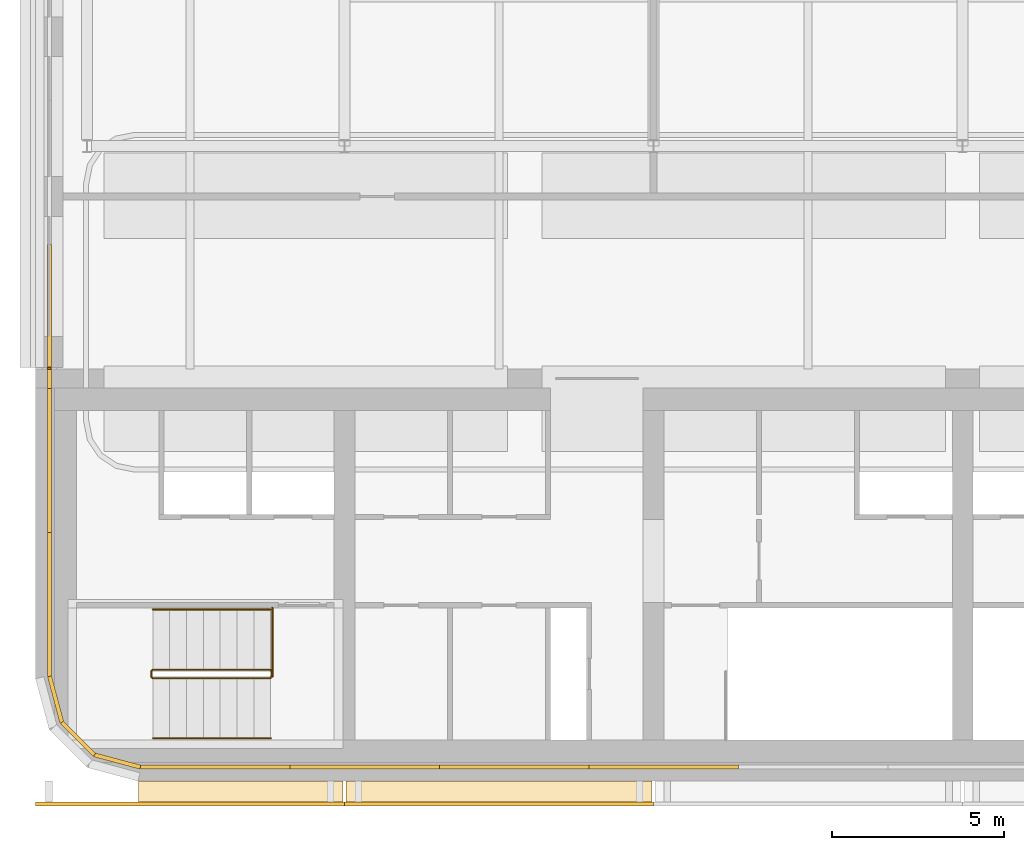
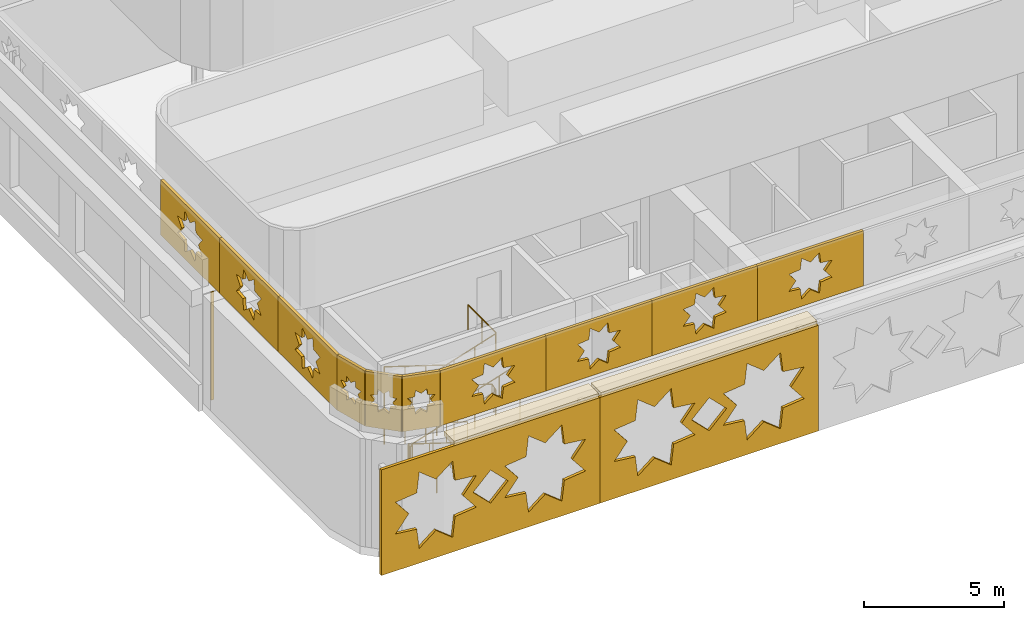
# One storey, part 10 of 14: 15 coverings, 4 railings.
"""IFC4 building model written with IfcOpenShell, lengths in metres."""

from ifc_helpers import new_model, si_unit, direction, frame, origin, origin_2d, place, context, subcontext, project, spatial, polyline, rectangle, circle, outline, extrude, material, layer, layer_set, type_object, element, save


model = new_model("IFC4")

# Units and contexts
model_context = context("Model", 3, precision=1e-05, world=origin(), true_north=direction((0.0, 1.0)))
body_context = subcontext(model_context, "Body", "Model", "MODEL_VIEW")
ifc_project = project(units=[si_unit("LENGTHUNIT", "METRE"), si_unit("AREAUNIT", "SQUARE_METRE"), si_unit("VOLUMEUNIT", "CUBIC_METRE"), si_unit("PLANEANGLEUNIT", "RADIAN"), si_unit("MASSUNIT", "GRAM", prefix="KILO")], contexts=[model_context])

# Site, building, storey
site_placement = place(None, origin())
site = spatial("IfcSite", under=ifc_project, at=site_placement, CompositionType="ELEMENT")
building_placement = place(site_placement, origin())
building = spatial("IfcBuilding", under=site, at=building_placement, Name="Zellij Exchange Tower", CompositionType="ELEMENT")
storey_placement = place(building_placement, frame((0.0, 0.0, 305.5)))
storey = spatial("IfcBuildingStorey", under=building, at=storey_placement, Name="L71", CompositionType="ELEMENT", Elevation=305.5)

# Railings
ifc_material_1 = material(Name="Stainless steel", Category="steel")
railing_type_1 = type_object("IfcRailingType", Name="CORE-RG stair guard", PredefinedType="GUARDRAIL", material=ifc_material_1)
railing_1_placement = place(storey_placement, frame((-20.10009765625, -10.800048828125, 0.0)))
element("IfcRailing", 1, at=railing_1_placement, inside=storey, type_object=railing_type_1, Name="ST1 stair guard L71", PredefinedType="GUARDRAIL", context=body_context, shape_type="SweptSolid", body=[
    extrude(circle(Radius=0.02392578125, at=origin_2d()), frame((0.0, 0.0, 1.076171875), z_axis=(0.0, -1.0, 0.0), x_axis=(1.0, 0.0, 0.0)), (0.0, 0.0, 1.0), 0.14990234375),
    extrude(circle(Radius=0.02392578125, at=origin_2d()), frame((0.0, -0.14990234375, 1.076171875), z_axis=(-0.192591976565, 0.773200141208, 0.604210122556), x_axis=(-0.970351222016, -0.241699205484, 0.0)), (0.0, 0.0, 1.0), 0.258544921875),
    extrude(circle(Radius=0.02392578125, at=origin_2d()), frame((-0.0498046875, 0.050048828125, 1.232421875), z_axis=(-0.952738578955, 0.0, 0.303791376065), x_axis=(0.0, -1.0, 0.0)), (0.0, 0.0, 1.0), 3.600341796875),
    extrude(circle(Radius=0.02392578125, at=origin_2d()), frame((-3.47998046875, 0.050048828125, 2.326171875), z_axis=(-0.705375805398, -0.708833529934, 0.0), x_axis=(0.708833529934, -0.705375805398, 0.0)), (0.0, 0.0, 1.0), 0.070556640625),
    extrude(circle(Radius=0.02392578125, at=origin_2d()), frame((-3.52978515625, 0.0, 2.326171875), z_axis=(0.0, -1.0, 0.0), x_axis=(1.0, 0.0, 0.0)), (0.0, 0.0, 1.0), 0.14990234375),
    extrude(circle(Radius=0.02392578125, at=origin_2d()), frame((-3.52978515625, -0.14990234375, 2.326171875), z_axis=(0.290469530425, -0.291893400672, 0.911276958196), x_axis=(0.708833529934, 0.705375805398, 0.0)), (0.0, 0.0, 1.0), 0.17138671875),
    extrude(circle(Radius=0.02392578125, at=origin_2d()), frame((-3.47998046875, -0.199951171875, 2.482421875), z_axis=(0.952738578955, 0.0, 0.303791376065), x_axis=(0.0, 1.0, 0.0)), (0.0, 0.0, 1.0), 3.600341796875),
    extrude(circle(Radius=0.02392578125, at=origin_2d()), frame((-0.0498046875, -0.199951171875, 3.576171875), z_axis=(0.241699205484, 0.970351222016, 0.0), x_axis=(-0.970351222016, 0.241699205484, 0.0)), (0.0, 0.0, 1.0), 0.2060546875),
    extrude(circle(Radius=0.02392578125, at=origin_2d()), frame((0.0, 0.0, 3.576171875), z_axis=(0.0, -1.0, 0.0), x_axis=(1.0, 0.0, 0.0)), (0.0, 0.0, 1.0), 0.14990234375),
    extrude(circle(Radius=0.02392578125, at=origin_2d()), frame((0.0, -0.14990234375, 3.576171875), z_axis=(-0.192591976565, 0.773200141208, 0.604210122556), x_axis=(-0.970351222016, -0.241699205484, 0.0)), (0.0, 0.0, 1.0), 0.258544921875),
    extrude(circle(Radius=0.02392578125, at=origin_2d()), frame((-0.0498046875, 0.050048828125, 3.732421875), z_axis=(-0.952738578955, 0.0, 0.303791376065), x_axis=(0.0, -1.0, 0.0)), (0.0, 0.0, 1.0), 3.600341796875),
    extrude(circle(Radius=0.02392578125, at=origin_2d()), frame((-3.47998046875, 0.050048828125, 4.826171875), z_axis=(-0.705375805398, -0.708833529934, 0.0), x_axis=(0.708833529934, -0.705375805398, 0.0)), (0.0, 0.0, 1.0), 0.070556640625),
    extrude(circle(Radius=0.02392578125, at=origin_2d()), frame((-3.52978515625, 0.0, 4.826171875), z_axis=(0.0, -1.0, 0.0), x_axis=(1.0, 0.0, 0.0)), (0.0, 0.0, 1.0), 0.14990234375),
    extrude(circle(Radius=0.02392578125, at=origin_2d()), frame((-3.52978515625, -0.14990234375, 4.826171875), z_axis=(0.290469530425, -0.291893400672, 0.911276958196), x_axis=(0.708833529934, 0.705375805398, 0.0)), (0.0, 0.0, 1.0), 0.17138671875),
    extrude(circle(Radius=0.02392578125, at=origin_2d()), frame((-3.47998046875, -0.199951171875, 4.982421875), z_axis=(0.952738578955, 0.0, 0.303791376065), x_axis=(0.0, 1.0, 0.0)), (0.0, 0.0, 1.0), 3.600341796875),
    extrude(circle(Radius=0.02099609375, at=origin_2d()), origin(), (0.0, 0.0, 1.0), 1.052001953125),
    extrude(circle(Radius=0.02099609375, at=origin_2d()), frame((0.0, -0.14990234375, 0.0)), (0.0, 0.0, 1.0), 1.052001953125),
    extrude(circle(Radius=0.02099609375, at=origin_2d()), frame((-0.0498046875, 0.050048828125, 0.15625)), (0.0, 0.0, 1.0), 1.052001953125),
    extrude(circle(Radius=0.02099609375, at=origin_2d()), frame((-0.9072265625, 0.050048828125, 0.4296875)), (0.0, 0.0, 1.0), 1.052001953125),
    extrude(circle(Radius=0.02099609375, at=origin_2d()), frame((-1.764892578125, 0.050048828125, 0.703125)), (0.0, 0.0, 1.0), 1.052001953125),
    extrude(circle(Radius=0.02099609375, at=origin_2d()), frame((-2.62255859375, 0.050048828125, 0.9765625)), (0.0, 0.0, 1.0), 1.052001953125),
    extrude(circle(Radius=0.02099609375, at=origin_2d()), frame((-3.47998046875, 0.050048828125, 1.25)), (0.0, 0.0, 1.0), 1.052001953125),
    extrude(circle(Radius=0.02099609375, at=origin_2d()), frame((-3.52978515625, 0.0, 1.25)), (0.0, 0.0, 1.0), 1.052001953125),
    extrude(circle(Radius=0.02099609375, at=origin_2d()), frame((-3.52978515625, -0.14990234375, 1.25)), (0.0, 0.0, 1.0), 1.052001953125),
    extrude(circle(Radius=0.02099609375, at=origin_2d()), frame((-3.47998046875, -0.199951171875, 1.40625)), (0.0, 0.0, 1.0), 1.052001953125),
    extrude(circle(Radius=0.02099609375, at=origin_2d()), frame((-2.62255859375, -0.199951171875, 1.6796875)), (0.0, 0.0, 1.0), 1.052001953125),
    extrude(circle(Radius=0.02099609375, at=origin_2d()), frame((-1.764892578125, -0.199951171875, 1.953125)), (0.0, 0.0, 1.0), 1.052001953125),
    extrude(circle(Radius=0.02099609375, at=origin_2d()), frame((-0.9072265625, -0.199951171875, 2.2265625)), (0.0, 0.0, 1.0), 1.052001953125),
    extrude(circle(Radius=0.02099609375, at=origin_2d()), frame((-0.0498046875, -0.199951171875, 2.5)), (0.0, 0.0, 1.0), 1.052001953125),
    extrude(circle(Radius=0.02099609375, at=origin_2d()), frame((0.0, 0.0, 2.5)), (0.0, 0.0, 1.0), 1.052001953125),
    extrude(circle(Radius=0.02099609375, at=origin_2d()), frame((0.0, -0.14990234375, 2.5)), (0.0, 0.0, 1.0), 1.052001953125),
    extrude(circle(Radius=0.02099609375, at=origin_2d()), frame((-0.0498046875, 0.050048828125, 2.65625)), (0.0, 0.0, 1.0), 1.052001953125),
    extrude(circle(Radius=0.02099609375, at=origin_2d()), frame((-0.9072265625, 0.050048828125, 2.9296875)), (0.0, 0.0, 1.0), 1.052001953125),
    extrude(circle(Radius=0.02099609375, at=origin_2d()), frame((-1.764892578125, 0.050048828125, 3.203125)), (0.0, 0.0, 1.0), 1.052001953125),
    extrude(circle(Radius=0.02099609375, at=origin_2d()), frame((-2.62255859375, 0.050048828125, 3.4765625)), (0.0, 0.0, 1.0), 1.052001953125),
    extrude(circle(Radius=0.02099609375, at=origin_2d()), frame((-3.47998046875, 0.050048828125, 3.75)), (0.0, 0.0, 1.0), 1.052001953125),
    extrude(circle(Radius=0.02099609375, at=origin_2d()), frame((-3.52978515625, 0.0, 3.75)), (0.0, 0.0, 1.0), 1.052001953125),
    extrude(circle(Radius=0.02099609375, at=origin_2d()), frame((-3.52978515625, -0.14990234375, 3.75)), (0.0, 0.0, 1.0), 1.052001953125),
    extrude(circle(Radius=0.02099609375, at=origin_2d()), frame((-3.47998046875, -0.199951171875, 3.90625)), (0.0, 0.0, 1.0), 1.052001953125),
    extrude(circle(Radius=0.02099609375, at=origin_2d()), frame((-2.62255859375, -0.199951171875, 4.1796875)), (0.0, 0.0, 1.0), 1.052001953125),
    extrude(circle(Radius=0.02099609375, at=origin_2d()), frame((-1.764892578125, -0.199951171875, 4.453125)), (0.0, 0.0, 1.0), 1.052001953125),
    extrude(circle(Radius=0.02099609375, at=origin_2d()), frame((-0.9072265625, -0.199951171875, 4.7265625)), (0.0, 0.0, 1.0), 1.052001953125),
    extrude(circle(Radius=0.02099609375, at=origin_2d()), frame((-0.0498046875, -0.199951171875, 5.0)), (0.0, 0.0, 1.0), 1.052001953125),
])
railing_2_placement = place(storey_placement, frame((-20.10009765625, -8.949951171875, 5.0)))
element("IfcRailing", 2, at=railing_2_placement, inside=storey, type_object=railing_type_1, Name="ST1 top well guard L71", PredefinedType="GUARDRAIL", context=body_context, shape_type="SweptSolid", body=[
    extrude(circle(Radius=0.02392578125, at=origin_2d()), frame((0.0, 0.0, 1.076171875), z_axis=(0.0, -1.0, 0.0), x_axis=(1.0, 0.0, 0.0)), (0.0, 0.0, 1.0), 2.0),
    extrude(circle(Radius=0.02099609375, at=origin_2d()), origin(), (0.0, 0.0, 1.0), 1.052001953125),
    extrude(circle(Radius=0.02099609375, at=origin_2d()), frame((0.0, -1.0, 0.0)), (0.0, 0.0, 1.0), 1.052001953125),
    extrude(circle(Radius=0.02099609375, at=origin_2d()), frame((0.0, -2.0, 0.0)), (0.0, 0.0, 1.0), 1.052001953125),
])
railing_type_2 = type_object("IfcRailingType", Name="CORE-RH stair handrail", PredefinedType="HANDRAIL", material=ifc_material_1)
railing_3_placement = place(storey_placement, frame((-20.14990234375, -9.0, 0.15625)))
element("IfcRailing", 3, at=railing_3_placement, inside=storey, type_object=railing_type_2, Name="ST1 stair handrail L71", PredefinedType="HANDRAIL", context=body_context, shape_type="SweptSolid", body=[
    extrude(circle(Radius=0.02392578125, at=origin_2d()), frame((0.0, 0.0, 0.8759765625), z_axis=(-0.952738578955, 0.0, 0.303791376065), x_axis=(0.0, -1.0, 0.0)), (0.0, 0.0, 1.0), 3.600341796875),
    extrude(circle(Radius=0.02392578125, at=origin_2d()), frame((-3.43017578125, 0.0, 1.9697265625), z_axis=(0.0, 0.0, 1.0), x_axis=(1.0, 0.0, 0.0)), (0.0, 0.0, 1.0), 2.5),
    extrude(circle(Radius=0.02392578125, at=origin_2d()), frame((-3.43017578125, 0.0, 4.4697265625), z_axis=(0.952738578955, 0.0, -0.303791376065), x_axis=(0.0, 1.0, 0.0)), (0.0, 0.0, 1.0), 3.600341796875),
    extrude(circle(Radius=0.02099609375, at=origin_2d()), origin(), (0.0, 0.0, 1.0), 0.851806640625),
    extrude(circle(Radius=0.02099609375, at=origin_2d()), frame((-0.857421875, 0.0, 0.2734375)), (0.0, 0.0, 1.0), 0.851806640625),
    extrude(circle(Radius=0.02099609375, at=origin_2d()), frame((-1.715087890625, 0.0, 0.546875)), (0.0, 0.0, 1.0), 0.851806640625),
    extrude(circle(Radius=0.02099609375, at=origin_2d()), frame((-2.57275390625, 0.0, 0.8203125)), (0.0, 0.0, 1.0), 0.851806640625),
    extrude(circle(Radius=0.02099609375, at=origin_2d()), frame((-3.43017578125, 0.0, 1.09375)), (0.0, 0.0, 1.0), 0.851806640625),
    extrude(circle(Radius=0.02099609375, at=origin_2d()), frame((-3.43017578125, 0.0, 1.927001953125)), (0.0, 0.0, 1.0), 0.851806640625),
    extrude(circle(Radius=0.02099609375, at=origin_2d()), frame((-3.43017578125, 0.0, 2.760498046875)), (0.0, 0.0, 1.0), 0.851806640625),
    extrude(circle(Radius=0.02099609375, at=origin_2d()), frame((-3.43017578125, 0.0, 3.59375)), (0.0, 0.0, 1.0), 0.851806640625),
    extrude(circle(Radius=0.02099609375, at=origin_2d()), frame((-2.57275390625, 0.0, 3.3203125)), (0.0, 0.0, 1.0), 0.851806640625),
    extrude(circle(Radius=0.02099609375, at=origin_2d()), frame((-1.715087890625, 0.0, 3.046875)), (0.0, 0.0, 1.0), 0.851806640625),
    extrude(circle(Radius=0.02099609375, at=origin_2d()), frame((-0.857421875, 0.0, 2.7734375)), (0.0, 0.0, 1.0), 0.851806640625),
    extrude(circle(Radius=0.02099609375, at=origin_2d()), frame((0.0, 0.0, 2.5)), (0.0, 0.0, 1.0), 0.851806640625),
])
railing_4_placement = place(storey_placement, frame((-23.580078125, -12.75, 1.40625)))
element("IfcRailing", 4, at=railing_4_placement, inside=storey, type_object=railing_type_2, Name="ST1 stair handrail L71", PredefinedType="HANDRAIL", context=body_context, shape_type="SweptSolid", body=[
    extrude(circle(Radius=0.02392578125, at=origin_2d()), frame((0.0, 0.0, 0.8759765625), z_axis=(0.952738578955, 0.0, 0.303791376065), x_axis=(0.0, 1.0, 0.0)), (0.0, 0.0, 1.0), 3.600341796875),
    extrude(circle(Radius=0.02392578125, at=origin_2d()), frame((3.43017578125, 0.0, 1.9697265625), z_axis=(0.0, 0.0, 1.0), x_axis=(1.0, 0.0, 0.0)), (0.0, 0.0, 1.0), 2.5),
    extrude(circle(Radius=0.02392578125, at=origin_2d()), frame((3.43017578125, 0.0, 4.4697265625), z_axis=(-0.952738578955, 0.0, -0.303791376065), x_axis=(0.0, -1.0, 0.0)), (0.0, 0.0, 1.0), 3.600341796875),
    extrude(circle(Radius=0.02099609375, at=origin_2d()), origin(), (0.0, 0.0, 1.0), 0.851806640625),
    extrude(circle(Radius=0.02099609375, at=origin_2d()), frame((0.857421875, 0.0, 0.2734375)), (0.0, 0.0, 1.0), 0.851806640625),
    extrude(circle(Radius=0.02099609375, at=origin_2d()), frame((1.715087890625, 0.0, 0.546875)), (0.0, 0.0, 1.0), 0.851806640625),
    extrude(circle(Radius=0.02099609375, at=origin_2d()), frame((2.57275390625, 0.0, 0.8203125)), (0.0, 0.0, 1.0), 0.851806640625),
    extrude(circle(Radius=0.02099609375, at=origin_2d()), frame((3.43017578125, 0.0, 1.09375)), (0.0, 0.0, 1.0), 0.851806640625),
    extrude(circle(Radius=0.02099609375, at=origin_2d()), frame((3.43017578125, 0.0, 1.927001953125)), (0.0, 0.0, 1.0), 0.851806640625),
    extrude(circle(Radius=0.02099609375, at=origin_2d()), frame((3.43017578125, 0.0, 2.760498046875)), (0.0, 0.0, 1.0), 0.851806640625),
    extrude(circle(Radius=0.02099609375, at=origin_2d()), frame((3.43017578125, 0.0, 3.59375)), (0.0, 0.0, 1.0), 0.851806640625),
    extrude(circle(Radius=0.02099609375, at=origin_2d()), frame((2.57275390625, 0.0, 3.3203125)), (0.0, 0.0, 1.0), 0.851806640625),
    extrude(circle(Radius=0.02099609375, at=origin_2d()), frame((1.715087890625, 0.0, 3.046875)), (0.0, 0.0, 1.0), 0.851806640625),
    extrude(circle(Radius=0.02099609375, at=origin_2d()), frame((0.857421875, 0.0, 2.7734375)), (0.0, 0.0, 1.0), 0.851806640625),
    extrude(circle(Radius=0.02099609375, at=origin_2d()), frame((0.0, 0.0, 2.5)), (0.0, 0.0, 1.0), 0.851806640625),
])

# Coverings
ifc_material_2 = material(Name="Limestone cladding", Category="masonry")
ifc_layer_1 = layer(ifc_material_2, 0.1201171875)
ifc_layer_set_1 = layer_set([ifc_layer_1], Name="Limestone cladding")
covering_type_1 = type_object("IfcCoveringType", Name="ENV-CV18 Glazing closer 120", PredefinedType="CLADDING", material=ifc_layer_set_1)
covering_1_placement = place(storey_placement, frame((-26.60009765625, -1.97509765625, 0.0), z_axis=(0.0, 0.0, 1.0), x_axis=(0.0, -1.0, 0.0)))
element("IfcCovering", 5, at=covering_1_placement, inside=storey, type_object=covering_type_1, Name="Glazing closer", PredefinedType="CLADDING", context=body_context, shape_type="SweptSolid", body=[
    extrude(rectangle(XDim=0.050048828125, YDim=0.1201171875, at=origin_2d()), origin(), (0.0, 0.0, 1.0), 4.699951171875),
])
ifc_layer_2 = layer(ifc_material_2, 0.199951171875)
ifc_layer_set_2 = layer_set([ifc_layer_2], Name="Limestone cladding")
covering_type_2 = type_object("IfcCoveringType", Name="ENV-CV19 Relief cap 720x200", PredefinedType="CLADDING", material=ifc_layer_set_2)
covering_2_placement = place(storey_placement, frame((-21.02490234375, -14.360107421875, 4.7998046875), z_axis=(0.0, 0.0, 1.0), x_axis=(1.0, 0.0, 0.0)))
element("IfcCovering", 6, at=covering_2_placement, inside=storey, type_object=covering_type_2, Name="Rear relief cap", PredefinedType="CLADDING", context=body_context, shape_type="SweptSolid", body=[
    extrude(rectangle(XDim=5.949951171875, YDim=0.719970703125, at=origin_2d()), origin(), (0.0, 0.0, 1.0), 0.199951171875),
])
covering_3_placement = place(storey_placement, frame((-13.5, -14.360107421875, 4.7998046875), z_axis=(0.0, 0.0, 1.0), x_axis=(1.0, 0.0, 0.0)))
element("IfcCovering", 7, at=covering_3_placement, inside=storey, type_object=covering_type_2, Name="Rear relief cap", PredefinedType="CLADDING", context=body_context, shape_type="SweptSolid", body=[
    extrude(rectangle(XDim=8.89990234375, YDim=0.719970703125, at=origin_2d()), origin(), (0.0, 0.0, 1.0), 0.199951171875),
])
ifc_material_3 = material(Name="Limestone screen", Category="masonry")
ifc_layer_3 = layer(ifc_material_3, 0.1201171875)
ifc_layer_set_3 = layer_set([ifc_layer_3], Name="Limestone screen")
covering_type_3 = type_object("IfcCoveringType", Name="ENV-SC1 Pierced stone screen 120", PredefinedType="USERDEFINED", material=ifc_layer_set_3)
for number, where, z_axis, x_axis, name in (
    (8, (-6.53076171875, -13.590087890625, 5.0), (0.0, 0.0, 1.0), (-1.0, 0.0, 0.0), "Pierced stone screen"),
    (9, (-10.884521484375, -13.590087890625, 5.0), (0.0, 0.0, 1.0), (-1.0, 0.0, 0.0), "Pierced stone screen"),
    (10, (-15.23828125, -13.590087890625, 5.0), (0.0, 0.0, 1.0), (-1.0, 0.0, 0.0), "Pierced stone screen"),
    (11, (-19.59228515625, -13.590087890625, 5.0), (0.0, 0.0, 1.0), (-1.0, 0.0, 0.0), "Pierced stone screen"),
):
    element("IfcCovering", number, at=place(storey_placement, frame(where, z_axis=z_axis, x_axis=x_axis)), inside=storey, type_object=covering_type_3, Name=name, ObjectType="SCREEN", PredefinedType="USERDEFINED", context=body_context, shape_type="SweptSolid", body=[
        extrude(outline(polyline([(0.0, 0.0), (4.353759765625, 0.0), (4.353759765625, 2.39990234375), (0.0, 2.39990234375), (0.0, 0.0)]), holes=[polyline([(3.063720703125, 1.5673828125), (2.597900390625, 1.620849609375), (2.544189453125, 2.0869140625), (2.177001953125, 1.795166015625), (1.8095703125, 2.0869140625), (1.756103515625, 1.620849609375), (1.2900390625, 1.5673828125), (1.581787109375, 1.199951171875), (1.2900390625, 0.83251953125), (1.756103515625, 0.779052734375), (1.8095703125, 0.31298828125), (2.177001953125, 0.604736328125), (2.544189453125, 0.31298828125), (2.597900390625, 0.779052734375), (3.063720703125, 0.83251953125), (2.772216796875, 1.199951171875), (3.063720703125, 1.5673828125)])]), frame((0.0, 0.06005859375, 0.0), z_axis=(0.0, -1.0, 0.0), x_axis=(1.0, 0.0, 0.0)), (0.0, 0.0, 1.0), 0.1201171875),
    ])
covering_4_placement = place(storey_placement, frame((-23.946044921875, -13.590087890625, 5.0), z_axis=(0.0, 0.0, 1.0), x_axis=(-0.96591039222, 0.258876638963, 0.0)))
element("IfcCovering", 12, at=covering_4_placement, inside=storey, type_object=covering_type_3, Name="Pierced stone screen", ObjectType="SCREEN", PredefinedType="USERDEFINED", context=body_context, shape_type="SweptSolid", body=[
    extrude(outline(polyline([(0.0, 0.0), (1.38916015625, 0.0), (1.38916015625, 2.39990234375), (0.0, 2.39990234375), (0.0, 0.0)]), holes=[polyline([(1.2080078125, 1.41259765625), (0.93798828125, 1.443603515625), (0.9072265625, 1.71337890625), (0.694580078125, 1.54443359375), (0.48193359375, 1.71337890625), (0.450927734375, 1.443603515625), (0.18115234375, 1.41259765625), (0.35009765625, 1.199951171875), (0.18115234375, 0.9873046875), (0.450927734375, 0.956298828125), (0.48193359375, 0.686767578125), (0.694580078125, 0.85546875), (0.9072265625, 0.686767578125), (0.93798828125, 0.956298828125), (1.2080078125, 0.9873046875), (1.0390625, 1.199951171875), (1.2080078125, 1.41259765625)])]), frame((0.0, 0.06005859375, 0.0), z_axis=(0.0, -1.0, 0.0), x_axis=(1.0, 0.0, 0.0)), (0.0, 0.0, 1.0), 0.1201171875),
])
covering_5_placement = place(storey_placement, frame((-25.287841796875, -13.23046875, 5.0), z_axis=(0.0, 0.0, 1.0), x_axis=(-0.707106781187, 0.707106781187, 0.0)))
element("IfcCovering", 13, at=covering_5_placement, inside=storey, type_object=covering_type_3, Name="Pierced stone screen", ObjectType="SCREEN", PredefinedType="USERDEFINED", context=body_context, shape_type="SweptSolid", body=[
    extrude(outline(polyline([(0.0, 0.0), (1.333251953125, 0.0), (1.333251953125, 2.39990234375), (0.0, 2.39990234375), (0.0, 0.0)]), holes=[polyline([(1.1591796875, 1.404052734375), (0.900390625, 1.433837890625), (0.87060546875, 1.692626953125), (0.66650390625, 1.530517578125), (0.46240234375, 1.692626953125), (0.432861328125, 1.433837890625), (0.173828125, 1.404052734375), (0.3359375, 1.199951171875), (0.173828125, 0.995849609375), (0.432861328125, 0.96630859375), (0.46240234375, 0.707275390625), (0.66650390625, 0.869384765625), (0.87060546875, 0.707275390625), (0.900390625, 0.96630859375), (1.1591796875, 0.995849609375), (0.997314453125, 1.199951171875), (1.1591796875, 1.404052734375)])]), frame((0.0, 0.06005859375, 0.0), z_axis=(0.0, -1.0, 0.0), x_axis=(1.0, 0.0, 0.0)), (0.0, 0.0, 1.0), 0.1201171875),
])
covering_6_placement = place(storey_placement, frame((-26.23046875, -12.287841796875, 5.0), z_axis=(0.0, 0.0, 1.0), x_axis=(-0.258876638963, 0.96591039222, 0.0)))
element("IfcCovering", 14, at=covering_6_placement, inside=storey, type_object=covering_type_3, Name="Pierced stone screen", ObjectType="SCREEN", PredefinedType="USERDEFINED", context=body_context, shape_type="SweptSolid", body=[
    extrude(outline(polyline([(0.0, 0.0), (1.38916015625, 0.0), (1.38916015625, 2.39990234375), (0.0, 2.39990234375), (0.0, 0.0)]), holes=[polyline([(1.2080078125, 1.41259765625), (0.93798828125, 1.443603515625), (0.9072265625, 1.71337890625), (0.694580078125, 1.54443359375), (0.48193359375, 1.71337890625), (0.450927734375, 1.443603515625), (0.18115234375, 1.41259765625), (0.35009765625, 1.199951171875), (0.18115234375, 0.9873046875), (0.450927734375, 0.956298828125), (0.48193359375, 0.686767578125), (0.694580078125, 0.85546875), (0.9072265625, 0.686767578125), (0.93798828125, 0.956298828125), (1.2080078125, 0.9873046875), (1.0390625, 1.199951171875), (1.2080078125, 1.41259765625)])]), frame((0.0, 0.06005859375, 0.0), z_axis=(0.0, -1.0, 0.0), x_axis=(1.0, 0.0, 0.0)), (0.0, 0.0, 1.0), 0.1201171875),
])
for number, where, z_axis, x_axis, name in (
    (15, (-26.590087890625, -10.946044921875, 5.0), (0.0, 0.0, 1.0), (0.0, 1.0, 0.0), "Pierced stone screen"),
    (16, (-26.590087890625, -6.754150390625, 5.0), (0.0, 0.0, 1.0), (0.0, 1.0, 0.0), "Pierced stone screen"),
    (17, (-26.590087890625, -2.562255859375, 5.0), (0.0, 0.0, 1.0), (0.0, 1.0, 0.0), "Pierced stone screen"),
):
    element("IfcCovering", number, at=place(storey_placement, frame(where, z_axis=z_axis, x_axis=x_axis)), inside=storey, type_object=covering_type_3, Name=name, ObjectType="SCREEN", PredefinedType="USERDEFINED", context=body_context, shape_type="SweptSolid", body=[
        extrude(outline(polyline([(0.0, 0.0), (4.19189453125, 0.0), (4.19189453125, 2.39990234375), (0.0, 2.39990234375), (0.0, 0.0)]), holes=[polyline([(2.98291015625, 1.5673828125), (2.516845703125, 1.620849609375), (2.46337890625, 2.0869140625), (2.095947265625, 1.795166015625), (1.728515625, 2.0869140625), (1.675048828125, 1.620849609375), (1.208984375, 1.5673828125), (1.500732421875, 1.199951171875), (1.208984375, 0.83251953125), (1.675048828125, 0.779052734375), (1.728515625, 0.31298828125), (2.095947265625, 0.604736328125), (2.46337890625, 0.31298828125), (2.516845703125, 0.779052734375), (2.98291015625, 0.83251953125), (2.691162109375, 1.199951171875), (2.98291015625, 1.5673828125)])]), frame((0.0, 0.06005859375, 0.0), z_axis=(0.0, -1.0, 0.0), x_axis=(1.0, 0.0, 0.0)), (0.0, 0.0, 1.0), 0.1201171875),
    ])
ifc_layer_4 = layer(ifc_material_3, 0.1201171875)
ifc_layer_set_4 = layer_set([ifc_layer_4], Name="Limestone screen")
covering_type_4 = type_object("IfcCoveringType", Name="ENV-SC5 Pierced stone relief 120", PredefinedType="USERDEFINED", material=ifc_layer_set_4)
for number, where, z_axis, x_axis, name in (
    (18, (-27.0, -14.659912109375, 0.199951171875), (0.0, 0.0, 1.0), (1.0, 0.0, 0.0), "Pierced stone relief"),
    (19, (-18.0, -14.659912109375, 0.199951171875), (0.0, 0.0, 1.0), (1.0, 0.0, 0.0), "Pierced stone relief"),
):
    element("IfcCovering", number, at=place(storey_placement, frame(where, z_axis=z_axis, x_axis=x_axis)), inside=storey, type_object=covering_type_4, Name=name, ObjectType="SCREEN", PredefinedType="USERDEFINED", context=body_context, shape_type="SweptSolid", body=[
        extrude(outline(polyline([(0.0, 0.0), (9.0, 0.0), (9.0, 4.60009765625), (0.0, 4.60009765625), (0.0, 0.0)]), holes=[polyline([(3.9130859375, 2.98876953125), (3.0390625, 3.089111328125), (2.938720703125, 3.962890625), (2.25, 3.416015625), (1.561279296875, 3.962890625), (1.4609375, 3.089111328125), (0.5869140625, 2.98876953125), (1.134033203125, 2.300048828125), (0.5869140625, 1.611083984375), (1.4609375, 1.510986328125), (1.561279296875, 0.636962890625), (2.25, 1.18408203125), (2.938720703125, 0.636962890625), (3.0390625, 1.510986328125), (3.9130859375, 1.611083984375), (3.365966796875, 2.300048828125), (3.9130859375, 2.98876953125)]), polyline([(8.4130859375, 2.98876953125), (7.5390625, 3.089111328125), (7.438720703125, 3.962890625), (6.75, 3.416015625), (6.061279296875, 3.962890625), (5.9609375, 3.089111328125), (5.0869140625, 2.98876953125), (5.634033203125, 2.300048828125), (5.0869140625, 1.611083984375), (5.9609375, 1.510986328125), (6.061279296875, 0.636962890625), (6.75, 1.18408203125), (7.438720703125, 0.636962890625), (7.5390625, 1.510986328125), (8.4130859375, 1.611083984375), (7.865966796875, 2.300048828125), (8.4130859375, 2.98876953125)]), polyline([(5.219970703125, 2.300048828125), (4.5, 3.02001953125), (3.780029296875, 2.300048828125), (4.5, 1.580078125), (5.219970703125, 2.300048828125)])]), frame((0.0, 0.06005859375, 0.0), z_axis=(0.0, -1.0, 0.0), x_axis=(1.0, 0.0, 0.0)), (0.0, 0.0, 1.0), 0.1201171875),
    ])

save(model, "model.ifc")
